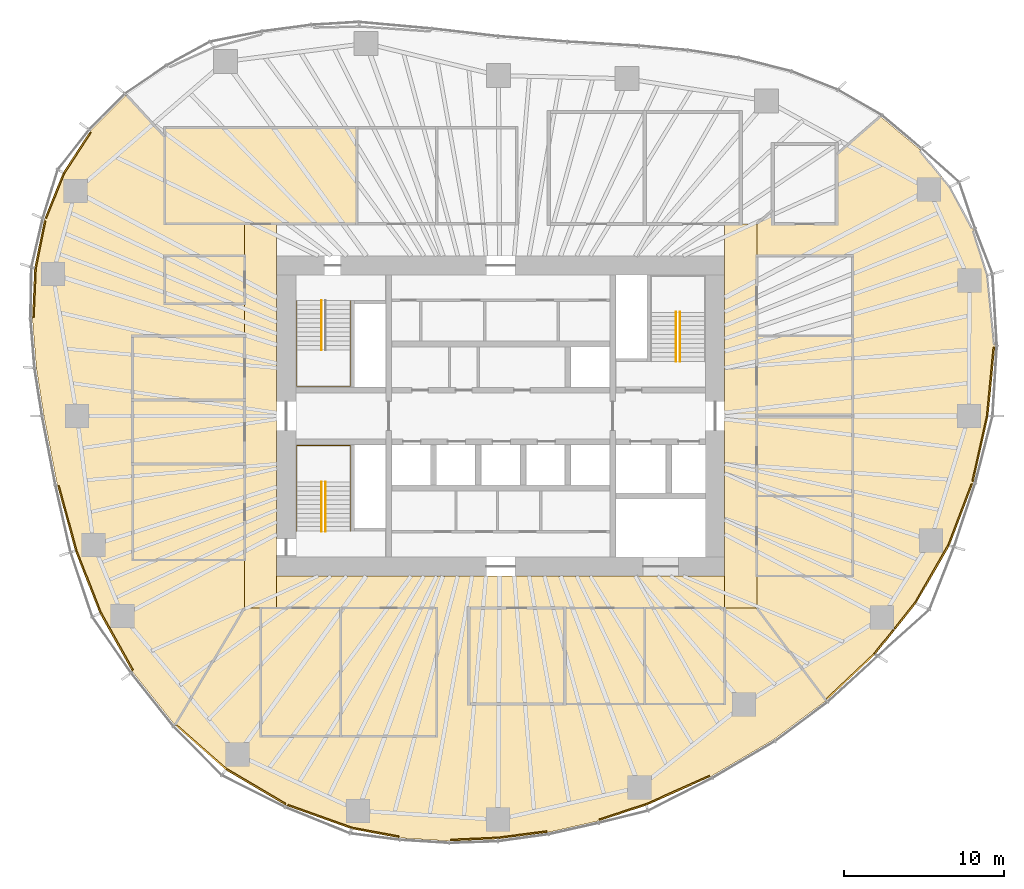
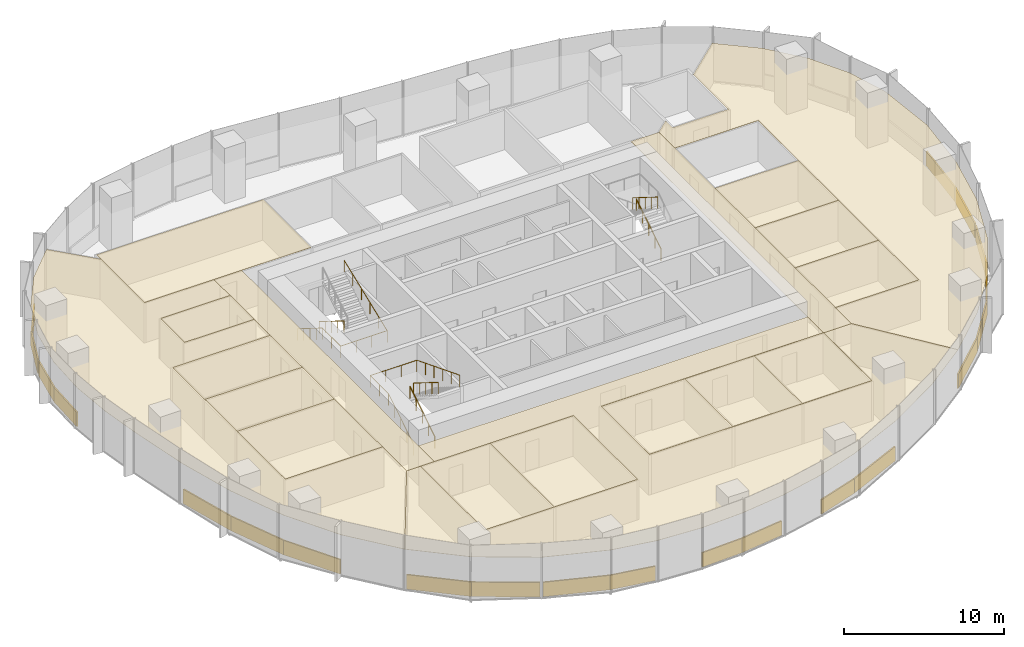
# One storey, part 17 of 18: 40 coverings, 7 railings.
"""IFC4 building model written with IfcOpenShell, lengths in metres."""

from ifc_helpers import new_model, si_unit, direction, frame, origin, origin_2d, place, context, subcontext, project, spatial, polyline, rectangle, circle, outline, extrude, material, layer, layer_set, type_object, element, save


model = new_model("IFC4")

# Units and contexts
model_context = context("Model", 3, precision=1e-05, world=origin(), true_north=direction((0.0, 1.0)))
body_context = subcontext(model_context, "Body", "Model", "MODEL_VIEW")
ifc_project = project(units=[si_unit("LENGTHUNIT", "METRE"), si_unit("AREAUNIT", "SQUARE_METRE"), si_unit("VOLUMEUNIT", "CUBIC_METRE"), si_unit("PLANEANGLEUNIT", "RADIAN"), si_unit("MASSUNIT", "GRAM", prefix="KILO")], contexts=[model_context])

# Site, building, storey
site_placement = place(None, origin())
site = spatial("IfcSite", under=ifc_project, at=site_placement, CompositionType="ELEMENT")
building_placement = place(site_placement, origin())
building = spatial("IfcBuilding", under=site, at=building_placement, Name="Ghaith Harvest Tower", CompositionType="ELEMENT")
storey_placement = place(building_placement, frame((0.0, 0.0, 130.199951171875)))
storey = spatial("IfcBuildingStorey", under=building, at=storey_placement, Name="L27", CompositionType="ELEMENT", Elevation=130.199951171875)

# Coverings
ifc_material_1 = material(Name="Mineral fibre ceiling tile", Category="gypsum")
ifc_layer_1 = layer(ifc_material_1, 0.02001953125)
ifc_layer_set_1 = layer_set([ifc_layer_1], Name="CEILING C1")
covering_type_1 = type_object("IfcCoveringType", Name="CEILING C1", PredefinedType="CEILING", material=ifc_layer_set_1)
covering_1_placement = place(storey_placement, frame((0.0, 0.0, 3.0)))
element("IfcCovering", 1, at=covering_1_placement, inside=storey, type_object=covering_type_1, Name="Ceiling L27-01", PredefinedType="CEILING", context=body_context, shape_type="SweptSolid", body=[
    extrude(outline(polyline([(-21.0, 12.0), (-9.0, 12.0), (-9.0, 18.0), (-21.0, 18.0), (-21.0, 12.0)])), origin(), (0.0, 0.0, 1.0), 0.02001953125),
])
covering_2_placement = place(storey_placement, frame((0.0, 0.0, 3.0)))
element("IfcCovering", 2, at=covering_2_placement, inside=storey, type_object=covering_type_1, Name="Ceiling L27-06", PredefinedType="CEILING", context=body_context, shape_type="SweptSolid", body=[
    extrude(outline(polyline([(16.0, -10.0), (22.0, -10.0), (22.0, -5.0), (16.0, -5.0), (16.0, -10.0)])), origin(), (0.0, 0.0, 1.0), 0.02001953125),
])
covering_3_placement = place(storey_placement, frame((0.0, 0.0, 3.0)))
element("IfcCovering", 3, at=covering_3_placement, inside=storey, type_object=covering_type_1, Name="Ceiling L27-07", PredefinedType="CEILING", context=body_context, shape_type="SweptSolid", body=[
    extrude(outline(polyline([(16.0, -5.0), (22.0, -5.0), (22.0, 0.0), (16.0, 0.0), (16.0, -5.0)])), origin(), (0.0, 0.0, 1.0), 0.02001953125),
])
covering_4_placement = place(storey_placement, frame((0.0, 0.0, 3.0)))
element("IfcCovering", 4, at=covering_4_placement, inside=storey, type_object=covering_type_1, Name="Ceiling L27-08", PredefinedType="CEILING", context=body_context, shape_type="SweptSolid", body=[
    extrude(outline(polyline([(16.0, 0.0), (22.0, 0.0), (22.0, 5.0), (16.0, 5.0), (16.0, 0.0)])), origin(), (0.0, 0.0, 1.0), 0.02001953125),
])
covering_5_placement = place(storey_placement, frame((0.0, 0.0, 3.0)))
element("IfcCovering", 5, at=covering_5_placement, inside=storey, type_object=covering_type_1, Name="Ceiling L27-10", PredefinedType="CEILING", context=body_context, shape_type="SweptSolid", body=[
    extrude(outline(polyline([(-15.0, -20.0), (-10.0, -20.0), (-10.0, -12.0), (-15.0, -12.0), (-15.0, -20.0)])), origin(), (0.0, 0.0, 1.0), 0.02001953125),
])
covering_6_placement = place(storey_placement, frame((0.0, 0.0, 3.0)))
element("IfcCovering", 6, at=covering_6_placement, inside=storey, type_object=covering_type_1, Name="Ceiling L27-11", PredefinedType="CEILING", context=body_context, shape_type="SweptSolid", body=[
    extrude(outline(polyline([(-10.0, -20.0), (-4.0, -20.0), (-4.0, -12.0), (-10.0, -12.0), (-10.0, -20.0)])), origin(), (0.0, 0.0, 1.0), 0.02001953125),
])
covering_7_placement = place(storey_placement, frame((0.0, 0.0, 3.0)))
element("IfcCovering", 7, at=covering_7_placement, inside=storey, type_object=covering_type_1, Name="Ceiling L27-12", PredefinedType="CEILING", context=body_context, shape_type="SweptSolid", body=[
    extrude(outline(polyline([(-2.0, -18.0), (4.0, -18.0), (4.0, -12.0), (-2.0, -12.0), (-2.0, -18.0)])), origin(), (0.0, 0.0, 1.0), 0.02001953125),
])
covering_8_placement = place(storey_placement, frame((0.0, 0.0, 3.0)))
element("IfcCovering", 8, at=covering_8_placement, inside=storey, type_object=covering_type_1, Name="Ceiling L27-13", PredefinedType="CEILING", context=body_context, shape_type="SweptSolid", body=[
    extrude(outline(polyline([(4.0, -18.0), (9.0, -18.0), (9.0, -12.0), (4.0, -12.0), (4.0, -18.0)])), origin(), (0.0, 0.0, 1.0), 0.02001953125),
])
covering_9_placement = place(storey_placement, frame((0.0, 0.0, 3.0)))
element("IfcCovering", 9, at=covering_9_placement, inside=storey, type_object=covering_type_1, Name="Ceiling L27-14", PredefinedType="CEILING", context=body_context, shape_type="SweptSolid", body=[
    extrude(outline(polyline([(9.0, -18.0), (14.0, -18.0), (14.0, -12.0), (9.0, -12.0), (9.0, -18.0)])), origin(), (0.0, 0.0, 1.0), 0.02001953125),
])
covering_10_placement = place(storey_placement, frame((0.0, 0.0, 3.0)))
element("IfcCovering", 10, at=covering_10_placement, inside=storey, type_object=covering_type_1, Name="Ceiling L27-15", PredefinedType="CEILING", context=body_context, shape_type="SweptSolid", body=[
    extrude(outline(polyline([(-23.0, -9.0), (-16.0, -9.0), (-16.0, -3.0), (-23.0, -3.0), (-23.0, -9.0)])), origin(), (0.0, 0.0, 1.0), 0.02001953125),
])
covering_11_placement = place(storey_placement, frame((0.0, 0.0, 3.0)))
element("IfcCovering", 11, at=covering_11_placement, inside=storey, type_object=covering_type_1, Name="Ceiling L27-16", PredefinedType="CEILING", context=body_context, shape_type="SweptSolid", body=[
    extrude(outline(polyline([(-23.0, -3.0), (-16.0, -3.0), (-16.0, 1.0), (-23.0, 1.0), (-23.0, -3.0)])), origin(), (0.0, 0.0, 1.0), 0.02001953125),
])
covering_12_placement = place(storey_placement, frame((0.0, 0.0, 3.0)))
element("IfcCovering", 12, at=covering_12_placement, inside=storey, type_object=covering_type_1, Name="Ceiling L27-17", PredefinedType="CEILING", context=body_context, shape_type="SweptSolid", body=[
    extrude(outline(polyline([(-23.0, 1.0), (-16.0, 1.0), (-16.0, 5.0), (-23.0, 5.0), (-23.0, 1.0)])), origin(), (0.0, 0.0, 1.0), 0.02001953125),
])
covering_13_placement = place(storey_placement, frame((0.0, 0.0, 3.0)))
element("IfcCovering", 13, at=covering_13_placement, inside=storey, type_object=covering_type_1, Name="Ceiling L27-19", PredefinedType="CEILING", context=body_context, shape_type="SweptSolid", body=[
    extrude(outline(polyline([(-21.0, 7.0), (-16.0, 7.0), (-16.0, 10.0), (-21.0, 10.0), (-21.0, 7.0)])), origin(), (0.0, 0.0, 1.0), 0.02001953125),
])
covering_14_placement = place(storey_placement, frame((0.0, 0.0, 3.0)))
element("IfcCovering", 14, at=covering_14_placement, inside=storey, type_object=covering_type_1, Name="Ceiling L27-C1", PredefinedType="CEILING", context=body_context, shape_type="SweptSolid", body=[
    extrude(outline(polyline([(14.0, -12.0), (14.0, 12.0), (16.0, 12.0), (16.0, -12.0), (14.0, -12.0)])), origin(), (0.0, 0.0, 1.0), 0.02001953125),
])
covering_15_placement = place(storey_placement, frame((0.0, 0.0, 3.0)))
element("IfcCovering", 15, at=covering_15_placement, inside=storey, type_object=covering_type_1, Name="Ceiling L27-C2", PredefinedType="CEILING", context=body_context, shape_type="SweptSolid", body=[
    extrude(outline(polyline([(-14.0, 12.0), (-14.0, -12.0), (-16.0, -12.0), (-16.0, 12.0), (-14.0, 12.0)])), origin(), (0.0, 0.0, 1.0), 0.02001953125),
])
covering_16_placement = place(storey_placement, frame((0.0, 0.0, 3.0)))
element("IfcCovering", 16, at=covering_16_placement, inside=storey, type_object=covering_type_1, Name="Ceiling L27-E1", PredefinedType="CEILING", context=body_context, shape_type="SweptSolid", body=[
    extrude(outline(polyline([(26.179443359375, 16.660888671875), (28.0888671875, 14.32568359375), (29.52294921875, 11.671875), (30.439208984375, 8.797607421875), (30.8798828125, 4.373046875), (30.458740234375, 0.0), (29.527099609375, -4.181396484375), (28.03125, -8.1015625), (25.94775390625, -11.714111328125), (23.400390625, -14.89208984375), (20.33935546875, -17.784912109375), (16.0, -12.0), (16.0, -10.0), (22.0, -10.0), (22.0, 10.0), (16.0, 10.0), (16.0, 12.0), (17.0, 12.869384765625), (17.0, 12.0), (21.0, 12.0), (21.0, 16.3466796875), (23.7275390625, 18.718017578125), (26.179443359375, 16.660888671875)])), origin(), (0.0, 0.0, 1.0), 0.02001953125),
])
covering_17_placement = place(storey_placement, frame((0.0, 0.0, 3.0)))
element("IfcCovering", 17, at=covering_17_placement, inside=storey, type_object=covering_type_1, Name="Ceiling L27-S1", PredefinedType="CEILING", context=body_context, shape_type="SweptSolid", body=[
    extrude(outline(polyline([(13.163818359375, -22.510498046875), (9.09423828125, -24.326904296875), (6.09228515625, -25.308837890625), (2.99609375, -26.010009765625), (-0.180908203125, -26.423583984375), (-3.204833984375, -26.556884765625), (-6.2666015625, -26.366455078125), (-9.317138671875, -25.79638671875), (-13.4052734375, -24.33740234375), (-17.1728515625, -22.11181640625), (-20.35400390625, -19.31396484375), (-16.0, -12.0), (-15.0, -12.0), (-15.0, -20.0), (-4.0, -20.0), (-4.0, -12.0), (-14.0, -12.0), (-14.0, -10.0), (14.0, -10.0), (14.0, -11.989990234375), (-2.010009765625, -11.989990234375), (-2.010009765625, -18.010009765625), (14.010009765625, -18.010009765625), (14.010009765625, -12.0), (16.0, -12.0), (20.33935546875, -17.784912109375), (17.054443359375, -20.22412109375), (13.163818359375, -22.510498046875)])), origin(), (0.0, 0.0, 1.0), 0.02001953125),
])
covering_18_placement = place(storey_placement, frame((0.0, 0.0, 3.0)))
element("IfcCovering", 18, at=covering_18_placement, inside=storey, type_object=covering_type_1, Name="Ceiling L27-W1", PredefinedType="CEILING", context=body_context, shape_type="SweptSolid", body=[
    extrude(outline(polyline([(-28.541259765625, 0.0), (-29.01171875, 2.978271484375), (-29.260498046875, 6.07177734375), (-29.12646484375, 9.230712890625), (-28.506591796875, 12.29638671875), (-27.33837890625, 15.204833984375), (-25.61962890625, 17.826416015625), (-23.398193359375, 20.06103515625), (-21.0, 17.447998046875), (-21.0, 12.0), (-16.0, 12.0), (-16.0, 10.0), (-21.0, 10.0), (-21.0, 7.0), (-16.0, 7.0), (-16.0, 5.0), (-23.0, 5.0), (-23.0, -9.0), (-16.0, -9.0), (-16.0, -12.0), (-20.35400390625, -19.31396484375), (-22.99169921875, -15.997802734375), (-25.046875, -12.32861328125), (-26.580078125, -8.423583984375), (-27.70947265625, -4.285888671875), (-28.541259765625, 0.0)])), origin(), (0.0, 0.0, 1.0), 0.02001953125),
])

# Railings
ifc_material_2 = material(Name="Steel, black powder-coated", Category="steel")
railing_type = type_object("IfcRailingType", Name="HANDRAIL HR1", PredefinedType="HANDRAIL", material=ifc_material_2)
railing_1_placement = place(storey_placement, frame((-11.199951171875, 7.199951171875, 0.175048828125)))
element("IfcRailing", 19, at=railing_1_placement, inside=storey, type_object=railing_type, Name="Handrail HR1 stair ST1 L27 flight 1 inner", PredefinedType="HANDRAIL", context=body_context, shape_type="SweptSolid", body=[
    extrude(circle(Radius=0.02392578125, at=origin_2d()), frame((0.0, 0.0, 0.8759765625), z_axis=(0.0, -0.847979421464, 0.530029150871), x_axis=(1.0, 0.0, 0.0)), (0.0, 0.0, 1.0), 3.632080078125),
    extrude(circle(Radius=0.02099609375, at=origin_2d()), origin(), (0.0, 0.0, 1.0), 0.851806640625),
    extrude(circle(Radius=0.02099609375, at=origin_2d()), frame((0.0, -0.77001953125, 0.481201171875)), (0.0, 0.0, 1.0), 0.851806640625),
    extrude(circle(Radius=0.02099609375, at=origin_2d()), frame((0.0, -1.5400390625, 0.96240234375)), (0.0, 0.0, 1.0), 0.851806640625),
    extrude(circle(Radius=0.02099609375, at=origin_2d()), frame((0.0, -2.309814453125, 1.44384765625)), (0.0, 0.0, 1.0), 0.851806640625),
    extrude(circle(Radius=0.02099609375, at=origin_2d()), frame((0.0, -3.079833984375, 1.925048828125)), (0.0, 0.0, 1.0), 0.851806640625),
])
railing_2_placement = place(storey_placement, frame((-12.75, 7.199951171875, 0.175048828125)))
element("IfcRailing", 20, at=railing_2_placement, inside=storey, type_object=railing_type, Name="Handrail HR1 stair ST1 L27 wall side", PredefinedType="HANDRAIL", context=body_context, shape_type="SweptSolid", body=[
    extrude(circle(Radius=0.02392578125, at=origin_2d()), frame((0.0, 0.0, 0.8759765625), z_axis=(0.0, -0.847979421464, 0.530029150871), x_axis=(1.0, 0.0, 0.0)), (0.0, 0.0, 1.0), 3.632080078125),
    extrude(circle(Radius=0.02392578125, at=origin_2d()), frame((0.0, -3.079833984375, 2.80078125), z_axis=(0.0, -1.0, 0.0), x_axis=(1.0, 0.0, 0.0)), (0.0, 0.0, 1.0), 2.27001953125),
    extrude(circle(Radius=0.02392578125, at=origin_2d()), frame((0.0, -5.349853515625, 2.80078125), z_axis=(1.0, 0.0, 0.0), x_axis=(0.0, 1.0, 0.0)), (0.0, 0.0, 1.0), 3.35009765625),
    extrude(circle(Radius=0.02392578125, at=origin_2d()), frame((3.35009765625, -5.349853515625, 2.80078125), z_axis=(0.0, 0.930862461605, 0.365369781968), x_axis=(-1.0, 0.0, 0.0)), (0.0, 0.0, 1.0), 5.747314453125),
    extrude(circle(Radius=0.02099609375, at=origin_2d()), origin(), (0.0, 0.0, 1.0), 0.851806640625),
    extrude(circle(Radius=0.02099609375, at=origin_2d()), frame((0.0, -0.77001953125, 0.481201171875)), (0.0, 0.0, 1.0), 0.851806640625),
    extrude(circle(Radius=0.02099609375, at=origin_2d()), frame((0.0, -1.5400390625, 0.96240234375)), (0.0, 0.0, 1.0), 0.851806640625),
    extrude(circle(Radius=0.02099609375, at=origin_2d()), frame((0.0, -2.309814453125, 1.44384765625)), (0.0, 0.0, 1.0), 0.851806640625),
    extrude(circle(Radius=0.02099609375, at=origin_2d()), frame((0.0, -3.079833984375, 1.925048828125)), (0.0, 0.0, 1.0), 0.851806640625),
    extrude(circle(Radius=0.02099609375, at=origin_2d()), frame((0.0, -4.21484375, 1.925048828125)), (0.0, 0.0, 1.0), 0.851806640625),
    extrude(circle(Radius=0.02099609375, at=origin_2d()), frame((0.0, -5.349853515625, 1.925048828125)), (0.0, 0.0, 1.0), 0.851806640625),
    extrude(circle(Radius=0.02099609375, at=origin_2d()), frame((1.11669921875, -5.349853515625, 1.925048828125)), (0.0, 0.0, 1.0), 0.851806640625),
    extrude(circle(Radius=0.02099609375, at=origin_2d()), frame((2.2333984375, -5.349853515625, 1.925048828125)), (0.0, 0.0, 1.0), 0.851806640625),
    extrude(circle(Radius=0.02099609375, at=origin_2d()), frame((3.35009765625, -5.349853515625, 1.925048828125)), (0.0, 0.0, 1.0), 0.851806640625),
    extrude(circle(Radius=0.02099609375, at=origin_2d()), frame((3.35009765625, -4.27978515625, 2.344970703125)), (0.0, 0.0, 1.0), 0.851806640625),
    extrude(circle(Radius=0.02099609375, at=origin_2d()), frame((3.35009765625, -3.2099609375, 2.764892578125)), (0.0, 0.0, 1.0), 0.851806640625),
    extrude(circle(Radius=0.02099609375, at=origin_2d()), frame((3.35009765625, -2.139892578125, 3.18505859375)), (0.0, 0.0, 1.0), 0.851806640625),
    extrude(circle(Radius=0.02099609375, at=origin_2d()), frame((3.35009765625, -1.070068359375, 3.60498046875)), (0.0, 0.0, 1.0), 0.851806640625),
    extrude(circle(Radius=0.02099609375, at=origin_2d()), frame((3.35009765625, 0.0, 4.02490234375)), (0.0, 0.0, 1.0), 0.851806640625),
])
railing_3_placement = place(storey_placement, frame((-11.199951171875, -7.199951171875, 0.175048828125)))
element("IfcRailing", 21, at=railing_3_placement, inside=storey, type_object=railing_type, Name="Handrail HR1 stair ST3 L27 flight 1 inner", PredefinedType="HANDRAIL", context=body_context, shape_type="SweptSolid", body=[
    extrude(circle(Radius=0.02392578125, at=origin_2d()), frame((0.0, 0.0, 0.8759765625), z_axis=(0.0, 0.847979421464, 0.530029150871), x_axis=(-1.0, 0.0, 0.0)), (0.0, 0.0, 1.0), 3.632080078125),
    extrude(circle(Radius=0.02099609375, at=origin_2d()), origin(), (0.0, 0.0, 1.0), 0.851806640625),
    extrude(circle(Radius=0.02099609375, at=origin_2d()), frame((0.0, 0.77001953125, 0.481201171875)), (0.0, 0.0, 1.0), 0.851806640625),
    extrude(circle(Radius=0.02099609375, at=origin_2d()), frame((0.0, 1.5400390625, 0.96240234375)), (0.0, 0.0, 1.0), 0.851806640625),
    extrude(circle(Radius=0.02099609375, at=origin_2d()), frame((0.0, 2.309814453125, 1.44384765625)), (0.0, 0.0, 1.0), 0.851806640625),
    extrude(circle(Radius=0.02099609375, at=origin_2d()), frame((0.0, 3.079833984375, 1.925048828125)), (0.0, 0.0, 1.0), 0.851806640625),
])
railing_4_placement = place(storey_placement, frame((-10.949951171875, -4.1201171875, 2.275146484375)))
element("IfcRailing", 22, at=railing_4_placement, inside=storey, type_object=railing_type, Name="Handrail HR1 stair ST3 L27 flight 2 inner", PredefinedType="HANDRAIL", context=body_context, shape_type="SweptSolid", body=[
    extrude(circle(Radius=0.02392578125, at=origin_2d()), frame((0.0, 0.0, 0.8759765625), z_axis=(0.0, -0.848009633417, 0.529980812513), x_axis=(1.0, 0.0, 0.0)), (0.0, 0.0, 1.0), 3.6318359375),
    extrude(circle(Radius=0.02099609375, at=origin_2d()), origin(), (0.0, 0.0, 1.0), 0.851806640625),
    extrude(circle(Radius=0.02099609375, at=origin_2d()), frame((0.0, -0.77001953125, 0.481201171875)), (0.0, 0.0, 1.0), 0.851806640625),
    extrude(circle(Radius=0.02099609375, at=origin_2d()), frame((0.0, -1.5400390625, 0.96240234375)), (0.0, 0.0, 1.0), 0.851806640625),
    extrude(circle(Radius=0.02099609375, at=origin_2d()), frame((0.0, -2.309814453125, 1.443603515625)), (0.0, 0.0, 1.0), 0.851806640625),
    extrude(circle(Radius=0.02099609375, at=origin_2d()), frame((0.0, -3.079833984375, 1.9248046875)), (0.0, 0.0, 1.0), 0.851806640625),
])
railing_5_placement = place(storey_placement, frame((-12.75, -7.199951171875, 0.175048828125)))
element("IfcRailing", 23, at=railing_5_placement, inside=storey, type_object=railing_type, Name="Handrail HR1 stair ST3 L27 wall side", PredefinedType="HANDRAIL", context=body_context, shape_type="SweptSolid", body=[
    extrude(circle(Radius=0.02392578125, at=origin_2d()), frame((0.0, 0.0, 0.8759765625), z_axis=(0.0, 0.847979421464, 0.530029150871), x_axis=(-1.0, 0.0, 0.0)), (0.0, 0.0, 1.0), 3.632080078125),
    extrude(circle(Radius=0.02392578125, at=origin_2d()), frame((0.0, 3.079833984375, 2.80078125), z_axis=(0.0, 1.0, 0.0), x_axis=(-1.0, 0.0, 0.0)), (0.0, 0.0, 1.0), 2.27001953125),
    extrude(circle(Radius=0.02392578125, at=origin_2d()), frame((0.0, 5.349853515625, 2.80078125), z_axis=(1.0, 0.0, 0.0), x_axis=(0.0, 1.0, 0.0)), (0.0, 0.0, 1.0), 3.35009765625),
    extrude(circle(Radius=0.02392578125, at=origin_2d()), frame((3.35009765625, 5.349853515625, 2.80078125), z_axis=(0.0, -0.930862461605, 0.365369781968), x_axis=(1.0, 0.0, 0.0)), (0.0, 0.0, 1.0), 5.747314453125),
    extrude(circle(Radius=0.02099609375, at=origin_2d()), origin(), (0.0, 0.0, 1.0), 0.851806640625),
    extrude(circle(Radius=0.02099609375, at=origin_2d()), frame((0.0, 0.77001953125, 0.481201171875)), (0.0, 0.0, 1.0), 0.851806640625),
    extrude(circle(Radius=0.02099609375, at=origin_2d()), frame((0.0, 1.5400390625, 0.96240234375)), (0.0, 0.0, 1.0), 0.851806640625),
    extrude(circle(Radius=0.02099609375, at=origin_2d()), frame((0.0, 2.309814453125, 1.44384765625)), (0.0, 0.0, 1.0), 0.851806640625),
    extrude(circle(Radius=0.02099609375, at=origin_2d()), frame((0.0, 3.079833984375, 1.925048828125)), (0.0, 0.0, 1.0), 0.851806640625),
    extrude(circle(Radius=0.02099609375, at=origin_2d()), frame((0.0, 4.21484375, 1.925048828125)), (0.0, 0.0, 1.0), 0.851806640625),
    extrude(circle(Radius=0.02099609375, at=origin_2d()), frame((0.0, 5.349853515625, 1.925048828125)), (0.0, 0.0, 1.0), 0.851806640625),
    extrude(circle(Radius=0.02099609375, at=origin_2d()), frame((1.11669921875, 5.349853515625, 1.925048828125)), (0.0, 0.0, 1.0), 0.851806640625),
    extrude(circle(Radius=0.02099609375, at=origin_2d()), frame((2.2333984375, 5.349853515625, 1.925048828125)), (0.0, 0.0, 1.0), 0.851806640625),
    extrude(circle(Radius=0.02099609375, at=origin_2d()), frame((3.35009765625, 5.349853515625, 1.925048828125)), (0.0, 0.0, 1.0), 0.851806640625),
    extrude(circle(Radius=0.02099609375, at=origin_2d()), frame((3.35009765625, 4.27978515625, 2.344970703125)), (0.0, 0.0, 1.0), 0.851806640625),
    extrude(circle(Radius=0.02099609375, at=origin_2d()), frame((3.35009765625, 3.2099609375, 2.764892578125)), (0.0, 0.0, 1.0), 0.851806640625),
    extrude(circle(Radius=0.02099609375, at=origin_2d()), frame((3.35009765625, 2.139892578125, 3.18505859375)), (0.0, 0.0, 1.0), 0.851806640625),
    extrude(circle(Radius=0.02099609375, at=origin_2d()), frame((3.35009765625, 1.070068359375, 3.60498046875)), (0.0, 0.0, 1.0), 0.851806640625),
    extrude(circle(Radius=0.02099609375, at=origin_2d()), frame((3.35009765625, 0.0, 4.02490234375)), (0.0, 0.0, 1.0), 0.851806640625),
])
railing_6_placement = place(storey_placement, frame((11.199951171875, 3.39990234375, 0.175048828125)))
element("IfcRailing", 24, at=railing_6_placement, inside=storey, type_object=railing_type, Name="Handrail HR1 stair ST2 L27 flight 1 inner", PredefinedType="HANDRAIL", context=body_context, shape_type="SweptSolid", body=[
    extrude(circle(Radius=0.02392578125, at=origin_2d()), frame((0.0, 0.0, 0.8759765625), z_axis=(0.0, 0.847998304005, 0.529998940003), x_axis=(-1.0, 0.0, 0.0)), (0.0, 0.0, 1.0), 3.632080078125),
    extrude(circle(Radius=0.02099609375, at=origin_2d()), origin(), (0.0, 0.0, 1.0), 0.851806640625),
    extrude(circle(Radius=0.02099609375, at=origin_2d()), frame((0.0, 0.77001953125, 0.481201171875)), (0.0, 0.0, 1.0), 0.851806640625),
    extrude(circle(Radius=0.02099609375, at=origin_2d()), frame((0.0, 1.5400390625, 0.96240234375)), (0.0, 0.0, 1.0), 0.851806640625),
    extrude(circle(Radius=0.02099609375, at=origin_2d()), frame((0.0, 2.31005859375, 1.44384765625)), (0.0, 0.0, 1.0), 0.851806640625),
    extrude(circle(Radius=0.02099609375, at=origin_2d()), frame((0.0, 3.080078125, 1.925048828125)), (0.0, 0.0, 1.0), 0.851806640625),
])
railing_7_placement = place(storey_placement, frame((10.949951171875, 6.47998046875, 2.275146484375)))
element("IfcRailing", 25, at=railing_7_placement, inside=storey, type_object=railing_type, Name="Handrail HR1 stair ST2 L27 flight 2 inner", PredefinedType="HANDRAIL", context=body_context, shape_type="SweptSolid", body=[
    extrude(circle(Radius=0.02392578125, at=origin_2d()), frame((0.0, 0.0, 0.8759765625), z_axis=(0.0, -0.848028513186, 0.529950602248), x_axis=(1.0, 0.0, 0.0)), (0.0, 0.0, 1.0), 3.632080078125),
    extrude(circle(Radius=0.02099609375, at=origin_2d()), origin(), (0.0, 0.0, 1.0), 0.851806640625),
    extrude(circle(Radius=0.02099609375, at=origin_2d()), frame((0.0, -0.77001953125, 0.481201171875)), (0.0, 0.0, 1.0), 0.851806640625),
    extrude(circle(Radius=0.02099609375, at=origin_2d()), frame((0.0, -1.5400390625, 0.96240234375)), (0.0, 0.0, 1.0), 0.851806640625),
    extrude(circle(Radius=0.02099609375, at=origin_2d()), frame((0.0, -2.31005859375, 1.443603515625)), (0.0, 0.0, 1.0), 0.851806640625),
    extrude(circle(Radius=0.02099609375, at=origin_2d()), frame((0.0, -3.080078125, 1.9248046875)), (0.0, 0.0, 1.0), 0.851806640625),
])

# Coverings
ifc_material_3 = material(Name="Insulated aluminium spandrel panel on steel framing", Category="steel")
ifc_layer_2 = layer(ifc_material_3, 0.10009765625)
ifc_layer_set_2 = layer_set([ifc_layer_2], Name="SLAB EDGE UPSTAND 1100x100")
covering_type_2 = type_object("IfcCoveringType", Name="SLAB EDGE UPSTAND 1100x100", PredefinedType="CLADDING", material=ifc_layer_set_2)
covering_19_placement = place(storey_placement, frame((30.61474609375, 2.1416015625, 0.0), z_axis=(0.0, 0.0, 1.0), x_axis=(0.095861332319, 0.99539469808, 0.0)))
element("IfcCovering", 26, at=covering_19_placement, inside=storey, type_object=covering_type_2, Name="Slab edge upstand 1 bay 01 L27", PredefinedType="CLADDING", context=body_context, shape_type="SweptSolid", body=[
    extrude(rectangle(XDim=4.293212890625, YDim=0.10009765625, at=origin_2d()), origin(), (0.0, 0.0, 1.0), 1.10009765625),
])
covering_20_placement = place(storey_placement, frame((-26.464599609375, 16.4462890625, 0.0), z_axis=(0.0, 0.0, 1.0), x_axis=(-0.548312211554, -0.836273710373, 0.0)))
element("IfcCovering", 27, at=covering_20_placement, inside=storey, type_object=covering_type_2, Name="Slab edge upstand 1 bay 09 L27", PredefinedType="CLADDING", context=body_context, shape_type="SweptSolid", body=[
    extrude(rectangle(XDim=3.03466796875, YDim=0.10009765625, at=origin_2d()), origin(), (0.0, 0.0, 1.0), 1.10009765625),
])
covering_21_placement = place(storey_placement, frame((-27.857421875, 13.7783203125, 0.0), z_axis=(0.0, 0.0, 1.0), x_axis=(-0.372732078847, -0.927939005215, 0.0)))
element("IfcCovering", 28, at=covering_21_placement, inside=storey, type_object=covering_type_2, Name="Slab edge upstand 2 bay 09 L27", PredefinedType="CLADDING", context=body_context, shape_type="SweptSolid", body=[
    extrude(rectangle(XDim=3.034423828125, YDim=0.10009765625, at=origin_2d()), origin(), (0.0, 0.0, 1.0), 1.10009765625),
])
covering_22_placement = place(storey_placement, frame((-28.777587890625, 10.70458984375, 0.0), z_axis=(0.0, 0.0, 1.0), x_axis=(-0.198182542943, -0.980165128778, 0.0)))
element("IfcCovering", 29, at=covering_22_placement, inside=storey, type_object=covering_type_2, Name="Slab edge upstand 3 bay 09 L27", PredefinedType="CLADDING", context=body_context, shape_type="SweptSolid", body=[
    extrude(rectangle(XDim=3.027587890625, YDim=0.10009765625, at=origin_2d()), origin(), (0.0, 0.0, 1.0), 1.10009765625),
])
covering_23_placement = place(storey_placement, frame((-29.141357421875, 7.69921875, 0.0), z_axis=(0.0, 0.0, 1.0), x_axis=(-0.042372799788, -0.9991018696, 0.0)))
element("IfcCovering", 30, at=covering_23_placement, inside=storey, type_object=covering_type_2, Name="Slab edge upstand 1 bay 10 L27", PredefinedType="CLADDING", context=body_context, shape_type="SweptSolid", body=[
    extrude(rectangle(XDim=3.061767578125, YDim=0.10009765625, at=origin_2d()), origin(), (0.0, 0.0, 1.0), 1.10009765625),
])
covering_24_placement = place(storey_placement, frame((-27.08349609375, -6.389892578125, 0.0), z_axis=(0.0, 0.0, 1.0), x_axis=(0.263287721652, -0.964717355305, 0.0)))
element("IfcCovering", 31, at=covering_24_placement, inside=storey, type_object=covering_type_2, Name="Slab edge upstand 2 bay 11 L27", PredefinedType="CLADDING", context=body_context, shape_type="SweptSolid", body=[
    extrude(rectangle(XDim=4.189208984375, YDim=0.10009765625, at=origin_2d()), origin(), (0.0, 0.0, 1.0), 1.10009765625),
])
covering_25_placement = place(storey_placement, frame((-25.76708984375, -10.35791015625, 0.0), z_axis=(0.0, 0.0, 1.0), x_axis=(0.365514970008, -0.930805461254, 0.0)))
element("IfcCovering", 32, at=covering_25_placement, inside=storey, type_object=covering_type_2, Name="Slab edge upstand 1 bay 12 L27", PredefinedType="CLADDING", context=body_context, shape_type="SweptSolid", body=[
    extrude(rectangle(XDim=4.195068359375, YDim=0.10009765625, at=origin_2d()), origin(), (0.0, 0.0, 1.0), 1.10009765625),
])
covering_26_placement = place(storey_placement, frame((-24.0, -14.09521484375, 0.0), z_axis=(0.0, 0.0, 1.0), x_axis=(0.488683758288, -0.872460993045, 0.0)))
element("IfcCovering", 33, at=covering_26_placement, inside=storey, type_object=covering_type_2, Name="Slab edge upstand 2 bay 12 L27", PredefinedType="CLADDING", context=body_context, shape_type="SweptSolid", body=[
    extrude(rectangle(XDim=4.10546875, YDim=0.10009765625, at=origin_2d()), origin(), (0.0, 0.0, 1.0), 1.10009765625),
])
covering_27_placement = place(storey_placement, frame((-18.69287109375, -20.70849609375, 0.0), z_axis=(0.0, 0.0, 1.0), x_axis=(0.75089221411, -0.660424774511, 0.0)))
element("IfcCovering", 34, at=covering_27_placement, inside=storey, type_object=covering_type_2, Name="Slab edge upstand 2 bay 13 L27", PredefinedType="CLADDING", context=body_context, shape_type="SweptSolid", body=[
    extrude(rectangle(XDim=4.136474609375, YDim=0.10009765625, at=origin_2d()), origin(), (0.0, 0.0, 1.0), 1.10009765625),
])
covering_28_placement = place(storey_placement, frame((-15.306640625, -23.15625, 0.0), z_axis=(0.0, 0.0, 1.0), x_axis=(0.861020519069, -0.508570217121, 0.0)))
element("IfcCovering", 35, at=covering_28_placement, inside=storey, type_object=covering_type_2, Name="Slab edge upstand 1 bay 14 L27", PredefinedType="CLADDING", context=body_context, shape_type="SweptSolid", body=[
    extrude(rectangle(XDim=4.27587890625, YDim=0.10009765625, at=origin_2d()), origin(), (0.0, 0.0, 1.0), 1.10009765625),
])
covering_29_placement = place(storey_placement, frame((-11.29736328125, -25.03662109375, 0.0), z_axis=(0.0, 0.0, 1.0), x_axis=(0.941807015649, -0.336154049915, 0.0)))
element("IfcCovering", 36, at=covering_29_placement, inside=storey, type_object=covering_type_2, Name="Slab edge upstand 2 bay 14 L27", PredefinedType="CLADDING", context=body_context, shape_type="SweptSolid", body=[
    extrude(rectangle(XDim=4.24072265625, YDim=0.10009765625, at=origin_2d()), origin(), (0.0, 0.0, 1.0), 1.10009765625),
])
covering_30_placement = place(storey_placement, frame((-7.831787109375, -26.023193359375, 0.0), z_axis=(0.0, 0.0, 1.0), x_axis=(0.982990071164, -0.183658705191, 0.0)))
element("IfcCovering", 37, at=covering_30_placement, inside=storey, type_object=covering_type_2, Name="Slab edge upstand 1 bay 15 L27", PredefinedType="CLADDING", context=body_context, shape_type="SweptSolid", body=[
    extrude(rectangle(XDim=3.003173828125, YDim=0.10009765625, at=origin_2d()), origin(), (0.0, 0.0, 1.0), 1.10009765625),
])
covering_31_placement = place(storey_placement, frame((-1.64501953125, -26.43798828125, 0.0), z_axis=(0.0, 0.0, 1.0), x_axis=(0.999029547734, 0.044045008275, 0.0)))
element("IfcCovering", 38, at=covering_31_placement, inside=storey, type_object=covering_type_2, Name="Slab edge upstand 3 bay 15 L27", PredefinedType="CLADDING", context=body_context, shape_type="SweptSolid", body=[
    extrude(rectangle(XDim=2.927001953125, YDim=0.10009765625, at=origin_2d()), origin(), (0.0, 0.0, 1.0), 1.10009765625),
])
covering_32_placement = place(storey_placement, frame((1.3515625, -26.173583984375, 0.0), z_axis=(0.0, 0.0, 1.0), x_axis=(0.991633707242, 0.129083657611, 0.0)))
element("IfcCovering", 39, at=covering_32_placement, inside=storey, type_object=covering_type_2, Name="Slab edge upstand 1 bay 16 L27", PredefinedType="CLADDING", context=body_context, shape_type="SweptSolid", body=[
    extrude(rectangle(XDim=3.103759765625, YDim=0.10009765625, at=origin_2d()), origin(), (0.0, 0.0, 1.0), 1.10009765625),
])
covering_33_placement = place(storey_placement, frame((7.625244140625, -24.754638671875, 0.0), z_axis=(0.0, 0.0, 1.0), x_axis=(0.950441392134, 0.310903779518, 0.0)))
element("IfcCovering", 40, at=covering_33_placement, inside=storey, type_object=covering_type_2, Name="Slab edge upstand 3 bay 16 L27", PredefinedType="CLADDING", context=body_context, shape_type="SweptSolid", body=[
    extrude(rectangle(XDim=3.05859375, YDim=0.10009765625, at=origin_2d()), origin(), (0.0, 0.0, 1.0), 1.10009765625),
])
covering_34_placement = place(storey_placement, frame((11.06298828125, -23.393310546875, 0.0), z_axis=(0.0, 0.0, 1.0), x_axis=(0.913170343632, 0.407578119519, 0.0)))
element("IfcCovering", 41, at=covering_34_placement, inside=storey, type_object=covering_type_2, Name="Slab edge upstand 1 bay 17 L27", PredefinedType="CLADDING", context=body_context, shape_type="SweptSolid", body=[
    extrude(rectangle(XDim=4.356689453125, YDim=0.10009765625, at=origin_2d()), origin(), (0.0, 0.0, 1.0), 1.10009765625),
])
covering_35_placement = place(storey_placement, frame((21.871826171875, -16.267822265625, 0.0), z_axis=(0.0, 0.0, 1.0), x_axis=(0.72680962062, 0.686838973395, 0.0)))
element("IfcCovering", 42, at=covering_35_placement, inside=storey, type_object=covering_type_2, Name="Slab edge upstand 2 bay 18 L27", PredefinedType="CLADDING", context=body_context, shape_type="SweptSolid", body=[
    extrude(rectangle(XDim=4.111572265625, YDim=0.10009765625, at=origin_2d()), origin(), (0.0, 0.0, 1.0), 1.10009765625),
])
covering_36_placement = place(storey_placement, frame((23.95263671875, -14.123046875, 0.0), z_axis=(0.0, 0.0, 1.0), x_axis=(0.625468377377, 0.780249517079, 0.0)))
element("IfcCovering", 43, at=covering_36_placement, inside=storey, type_object=covering_type_2, Name="Slab edge upstand 1 bay 19 L27", PredefinedType="CLADDING", context=body_context, shape_type="SweptSolid", body=[
    extrude(rectangle(XDim=1.89111328125, YDim=0.10009765625, at=origin_2d()), origin(), (0.0, 0.0, 1.0), 1.10009765625),
])
covering_37_placement = place(storey_placement, frame((25.266845703125, -12.483642578125, 0.0), z_axis=(0.0, 0.0, 1.0), x_axis=(0.625468377377, 0.780249517079, 0.0)))
element("IfcCovering", 44, at=covering_37_placement, inside=storey, type_object=covering_type_2, Name="Slab edge upstand 1 bay 19 L27", PredefinedType="CLADDING", context=body_context, shape_type="SweptSolid", body=[
    extrude(rectangle(XDim=2.052490234375, YDim=0.10009765625, at=origin_2d()), origin(), (0.0, 0.0, 1.0), 1.10009765625),
])
covering_38_placement = place(storey_placement, frame((26.9462890625, -9.8828125, 0.0), z_axis=(0.0, 0.0, 1.0), x_axis=(0.499596169173, 0.866258430117, 0.0)))
element("IfcCovering", 45, at=covering_38_placement, inside=storey, type_object=covering_type_2, Name="Slab edge upstand 2 bay 19 L27", PredefinedType="CLADDING", context=body_context, shape_type="SweptSolid", body=[
    extrude(rectangle(XDim=4.170166015625, YDim=0.10009765625, at=origin_2d()), origin(), (0.0, 0.0, 1.0), 1.10009765625),
])
covering_39_placement = place(storey_placement, frame((28.714599609375, -6.17041015625, 0.0), z_axis=(0.0, 0.0, 1.0), x_axis=(0.356503850378, 0.934293853488, 0.0)))
element("IfcCovering", 46, at=covering_39_placement, inside=storey, type_object=covering_type_2, Name="Slab edge upstand 1 bay 20 L27", PredefinedType="CLADDING", context=body_context, shape_type="SweptSolid", body=[
    extrude(rectangle(XDim=4.095947265625, YDim=0.10009765625, at=origin_2d()), origin(), (0.0, 0.0, 1.0), 1.10009765625),
])
covering_40_placement = place(storey_placement, frame((29.955078125, -2.031005859375, 0.0), z_axis=(0.0, 0.0, 1.0), x_axis=(0.217466241983, 0.976067842723, 0.0)))
element("IfcCovering", 47, at=covering_40_placement, inside=storey, type_object=covering_type_2, Name="Slab edge upstand 2 bay 20 L27", PredefinedType="CLADDING", context=body_context, shape_type="SweptSolid", body=[
    extrude(rectangle(XDim=4.183837890625, YDim=0.10009765625, at=origin_2d()), origin(), (0.0, 0.0, 1.0), 1.10009765625),
])

save(model, "model.ifc")
